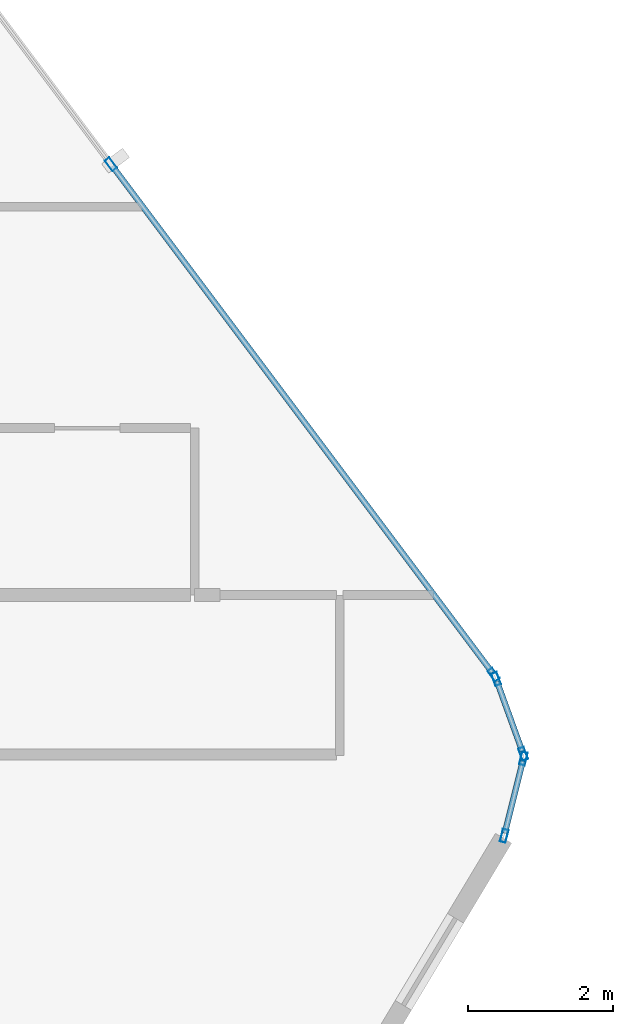
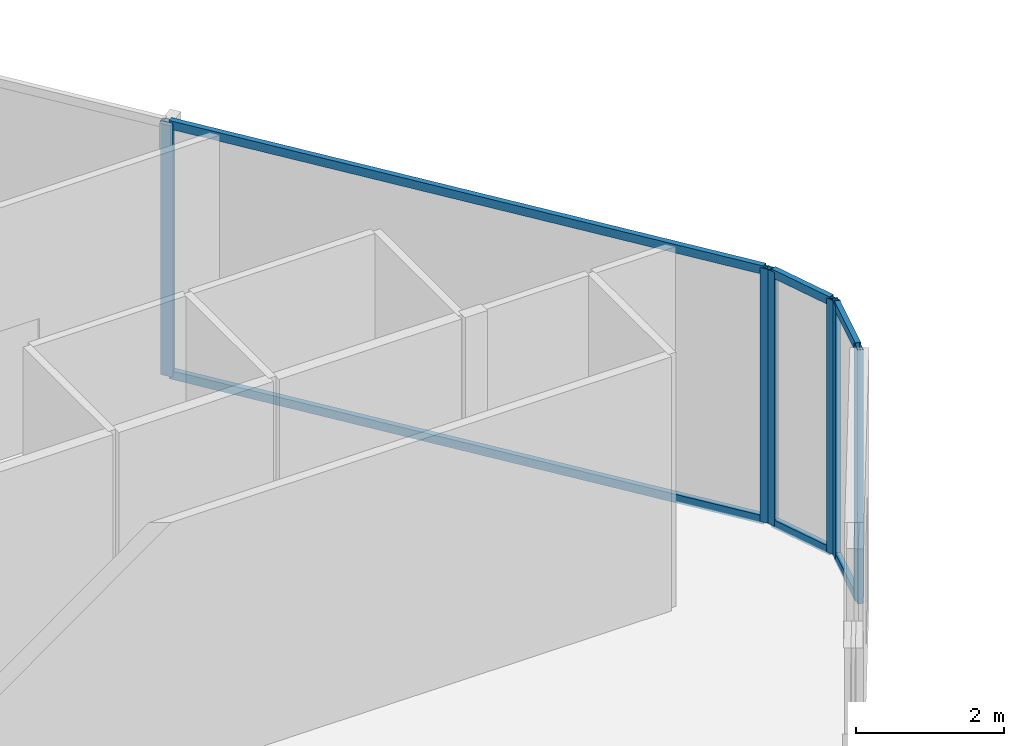
# One storey, part 16 of 30: 12 members, 3 elements without a shape of their own.
"""IFC4 building model written with IfcOpenShell, lengths in metres."""

from ifc_helpers import new_model, si_unit, direction, frame, origin, origin_2d, place, context, subcontext, project, spatial, hollow_rectangle, extrude, material, layer, layer_set, material_profile, profile_set, type_object, element, aggregate, save


model = new_model("IFC4")

# Units and contexts
model_context = context("Model", 3, precision=1e-05, world=origin(), true_north=direction((0.0, 1.0)))
body_context = subcontext(model_context, "Body", "Model", "MODEL_VIEW")
ifc_project = project(units=[si_unit("LENGTHUNIT", "METRE"), si_unit("AREAUNIT", "SQUARE_METRE"), si_unit("VOLUMEUNIT", "CUBIC_METRE"), si_unit("PLANEANGLEUNIT", "RADIAN"), si_unit("MASSUNIT", "GRAM", prefix="KILO")], contexts=[model_context])

# Site, building, storey
site_placement = place(None, origin())
site = spatial("IfcSite", under=ifc_project, at=site_placement, CompositionType="ELEMENT")
building_placement = place(site_placement, origin())
building = spatial("IfcBuilding", under=site, at=building_placement, Name="Keshet Zoharim Tower", CompositionType="ELEMENT")
storey_placement = place(building_placement, frame((0.0, 0.0, 86.39990234375)))
storey = spatial("IfcBuildingStorey", under=building, at=storey_placement, Name="L20", CompositionType="ELEMENT", Elevation=86.39990234375)

# Curtain wall, members
ifc_material = material(Name="Aluminium 6063-T6", Category="aluminium")
ifc_layer = layer(ifc_material, 0.159912109375)
ifc_layer_set = layer_set([ifc_layer], Name="Aluminium 6063-T6")
curtain_wall_type = type_object("IfcCurtainWallType", Name="CW-SYS-03", PredefinedType="NOTDEFINED", material=ifc_layer_set)
curtain_wall_1_placement = place(storey_placement, origin())
curtain_wall_1 = element("IfcCurtainWall", 1, at=curtain_wall_1_placement, inside=storey, type_object=curtain_wall_type, Name="L20 Unitised Curtain Wall 15", PredefinedType="NOTDEFINED")
ifc_material_profile_1 = material_profile(ifc_material, hollow_rectangle(XDim=0.080078125, YDim=0.179931640625, WallThickness=0.00439453125, at=origin_2d()), Name="MUL-80x180")
ifc_profile_set_1 = profile_set([ifc_material_profile_1], Name="Aluminium 6063-T6")
member_type_1 = type_object("IfcMemberType", Name="CWM-M18", PredefinedType="MULLION", material=ifc_profile_set_1)
member_1_placement = place(storey_placement, frame((56.896484375, 46.0380859375, 0.0), z_axis=(0.0, 0.0, 1.0), x_axis=(0.799999999998, 0.600000000002, 0.0)))
member_1 = element("IfcMember", 2, at=member_1_placement, type_object=member_type_1, Name="CW-03 mullion 2", PredefinedType="MULLION", context=body_context, shape_type="SweptSolid", body=[
    extrude(hollow_rectangle(XDim=0.080078125, YDim=0.179931640625, WallThickness=0.00439453125, at=origin_2d()), origin(), (0.0, 0.0, 1.0), 4.18505859375),
])
member_2_placement = place(storey_placement, frame((62.172119140625, 39.00390625, 0.0), z_axis=(0.0, 0.0, 1.0), x_axis=(0.799999999998, 0.600000000002, 0.0)))
member_2 = element("IfcMember", 3, at=member_2_placement, type_object=member_type_1, Name="CW-03 mullion 3", PredefinedType="MULLION", context=body_context, shape_type="SweptSolid", body=[
    extrude(hollow_rectangle(XDim=0.080078125, YDim=0.179931640625, WallThickness=0.00439453125, at=origin_2d()), origin(), (0.0, 0.0, 1.0), 4.18505859375),
])

curtain_wall_2_placement = place(storey_placement, origin())
curtain_wall_2 = element("IfcCurtainWall", 4, at=curtain_wall_2_placement, inside=storey, type_object=curtain_wall_type, Name="L20 Unitised Curtain Wall 16", PredefinedType="NOTDEFINED")
member_3_placement = place(storey_placement, frame((62.204833984375, 38.943115234375, 0.0), z_axis=(0.0, 0.0, 1.0), x_axis=(0.940317877544, 0.340297354046, 0.0)))
member_3 = element("IfcMember", 5, at=member_3_placement, type_object=member_type_1, Name="CW-03 mullion 1", PredefinedType="MULLION", context=body_context, shape_type="SweptSolid", body=[
    extrude(hollow_rectangle(XDim=0.080078125, YDim=0.179931640625, WallThickness=0.00439453125, at=origin_2d()), origin(), (0.0, 0.0, 1.0), 4.18505859375),
])
member_4_placement = place(storey_placement, frame((62.578125, 37.911865234375, 0.0), z_axis=(0.0, 0.0, 1.0), x_axis=(0.940317877544, 0.340297354046, 0.0)))
member_4 = element("IfcMember", 6, at=member_4_placement, type_object=member_type_1, Name="CW-03 mullion 2", PredefinedType="MULLION", context=body_context, shape_type="SweptSolid", body=[
    extrude(hollow_rectangle(XDim=0.080078125, YDim=0.179931640625, WallThickness=0.00439453125, at=origin_2d()), origin(), (0.0, 0.0, 1.0), 4.18505859375),
])

curtain_wall_3_placement = place(storey_placement, origin())
curtain_wall_3 = element("IfcCurtainWall", 7, at=curtain_wall_3_placement, inside=storey, type_object=curtain_wall_type, Name="L20 Unitised Curtain Wall 17", PredefinedType="NOTDEFINED")
member_5_placement = place(storey_placement, frame((62.58154296875, 37.844970703125, 0.0), z_axis=(0.0, 0.0, 1.0), x_axis=(0.970343857447, -0.241728770141, 0.0)))
member_5 = element("IfcMember", 8, at=member_5_placement, type_object=member_type_1, Name="CW-03 mullion 1", PredefinedType="MULLION", context=body_context, shape_type="SweptSolid", body=[
    extrude(hollow_rectangle(XDim=0.080078125, YDim=0.179931640625, WallThickness=0.00439453125, at=origin_2d()), origin(), (0.0, 0.0, 1.0), 4.18505859375),
])
member_6_placement = place(storey_placement, frame((62.31640625, 36.781005859375, 0.0), z_axis=(0.0, 0.0, 1.0), x_axis=(0.970343857447, -0.241728770141, 0.0)))
member_6 = element("IfcMember", 9, at=member_6_placement, type_object=member_type_1, Name="CW-03 mullion 2", PredefinedType="MULLION", context=body_context, shape_type="SweptSolid", body=[
    extrude(hollow_rectangle(XDim=0.080078125, YDim=0.179931640625, WallThickness=0.00439453125, at=origin_2d()), origin(), (0.0, 0.0, 1.0), 4.18505859375),
])

# Member
ifc_material_profile_2 = material_profile(ifc_material, hollow_rectangle(XDim=0.080078125, YDim=0.139892578125, WallThickness=0.00390625, at=origin_2d()), Name="TRN-80x140")
ifc_profile_set_2 = profile_set([ifc_material_profile_2], Name="Aluminium 6063-T6")
member_type_2 = type_object("IfcMemberType", Name="CWT-T14", PredefinedType="USERDEFINED", material=ifc_profile_set_2)
member_7_placement = place(storey_placement, frame((56.91748046875, 46.010009765625, 0.03515625), z_axis=(0.599991043201, -0.800006717521, 0.0), x_axis=(0.800006717521, 0.599991043201, 0.0)))
member_7 = element("IfcMember", 10, at=member_7_placement, type_object=member_type_2, Name="CW-03 transom 2.1", ObjectType="TRANSOM", PredefinedType="USERDEFINED", context=body_context, shape_type="SweptSolid", body=[
    extrude(hollow_rectangle(XDim=0.080078125, YDim=0.139892578125, WallThickness=0.00390625, at=origin_2d()), origin(), (0.0, 0.0, 1.0), 8.722412109375),
])

member_8_placement = place(storey_placement, frame((56.91748046875, 46.010009765625, 4.150146484375), z_axis=(0.599991043201, -0.800006717521, 0.0), x_axis=(0.800006717521, 0.599991043201, 0.0)))
member_8 = element("IfcMember", 11, at=member_8_placement, type_object=member_type_2, Name="CW-03 transom 2.2", ObjectType="TRANSOM", PredefinedType="USERDEFINED", context=body_context, shape_type="SweptSolid", body=[
    extrude(hollow_rectangle(XDim=0.080078125, YDim=0.139892578125, WallThickness=0.00390625, at=origin_2d()), origin(), (0.0, 0.0, 1.0), 8.722412109375),
])

aggregate(curtain_wall_1, [member_1, member_2, member_7, member_8])

member_9_placement = place(storey_placement, frame((62.216796875, 38.91015625, 0.03515625), z_axis=(0.340310579984, -0.940313091024, 0.0), x_axis=(0.940313091024, 0.340310579984, 0.0)))
member_9 = element("IfcMember", 12, at=member_9_placement, type_object=member_type_2, Name="CW-03 transom 1.1", ObjectType="TRANSOM", PredefinedType="USERDEFINED", context=body_context, shape_type="SweptSolid", body=[
    extrude(hollow_rectangle(XDim=0.080078125, YDim=0.139892578125, WallThickness=0.00390625, at=origin_2d()), origin(), (0.0, 0.0, 1.0), 1.026611328125),
])

member_10_placement = place(storey_placement, frame((62.216796875, 38.91015625, 4.150146484375), z_axis=(0.340310579984, -0.940313091024, 0.0), x_axis=(0.940313091024, 0.340310579984, 0.0)))
member_10 = element("IfcMember", 13, at=member_10_placement, type_object=member_type_2, Name="CW-03 transom 1.2", ObjectType="TRANSOM", PredefinedType="USERDEFINED", context=body_context, shape_type="SweptSolid", body=[
    extrude(hollow_rectangle(XDim=0.080078125, YDim=0.139892578125, WallThickness=0.00390625, at=origin_2d()), origin(), (0.0, 0.0, 1.0), 1.026611328125),
])

aggregate(curtain_wall_2, [member_3, member_4, member_9, member_10])

member_11_placement = place(storey_placement, frame((62.572998046875, 37.81103515625, 0.03515625), z_axis=(-0.241640143717, -0.970365931463, 0.0), x_axis=(0.970365931463, -0.241640143717, 0.0)))
member_11 = element("IfcMember", 14, at=member_11_placement, type_object=member_type_2, Name="CW-03 transom 1.1", ObjectType="TRANSOM", PredefinedType="USERDEFINED", context=body_context, shape_type="SweptSolid", body=[
    extrude(hollow_rectangle(XDim=0.080078125, YDim=0.139892578125, WallThickness=0.00390625, at=origin_2d()), origin(), (0.0, 0.0, 1.0), 1.026611328125),
])

member_12_placement = place(storey_placement, frame((62.572998046875, 37.81103515625, 4.150146484375), z_axis=(-0.241640143717, -0.970365931463, 0.0), x_axis=(0.970365931463, -0.241640143717, 0.0)))
member_12 = element("IfcMember", 15, at=member_12_placement, type_object=member_type_2, Name="CW-03 transom 1.2", ObjectType="TRANSOM", PredefinedType="USERDEFINED", context=body_context, shape_type="SweptSolid", body=[
    extrude(hollow_rectangle(XDim=0.080078125, YDim=0.139892578125, WallThickness=0.00390625, at=origin_2d()), origin(), (0.0, 0.0, 1.0), 1.026611328125),
])

aggregate(curtain_wall_3, [member_5, member_6, member_11, member_12])

save(model, "model.ifc")
